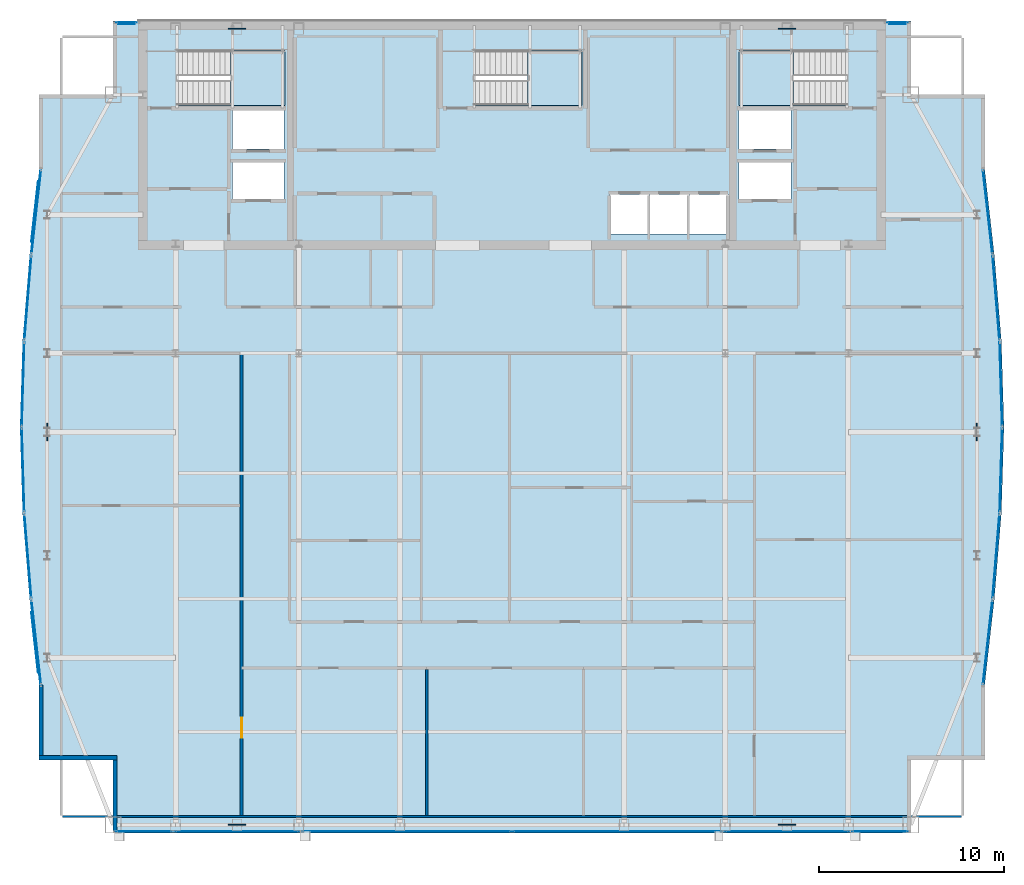
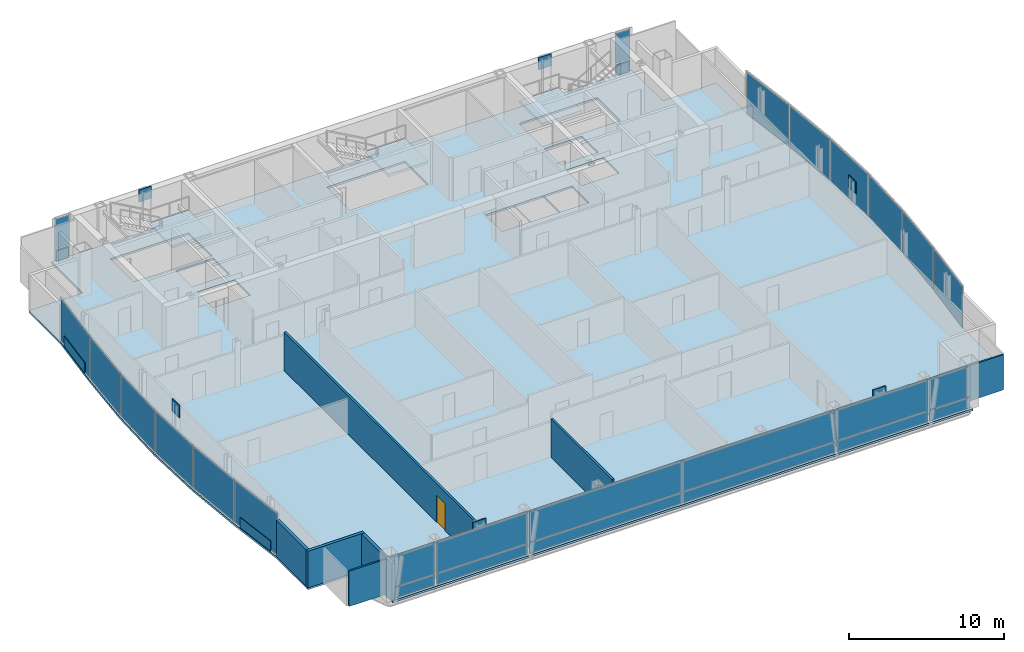
# One storey, part 19 of 25: 38 plates, 6 walls, 4 slabs, 1 door, 1 opening, 22 elements without a shape of their own.
"""IFC4 building model written with IfcOpenShell, lengths in metres."""

from ifc_helpers import new_model, si_unit, direction, frame, frame_2d, origin, origin_2d, place, context, subcontext, project, spatial, polyline, rectangle, outline, extrude, material, layer, layer_set, type_object, element, fill, aggregate, save


model = new_model("IFC4")

# Units and contexts
model_context = context("Model", 3, precision=1e-05, world=origin(), true_north=direction((0.0, 1.0)))
body_context = subcontext(model_context, "Body", "Model", "MODEL_VIEW")
ifc_project = project(units=[si_unit("LENGTHUNIT", "METRE"), si_unit("AREAUNIT", "SQUARE_METRE"), si_unit("VOLUMEUNIT", "CUBIC_METRE"), si_unit("PLANEANGLEUNIT", "RADIAN"), si_unit("MASSUNIT", "GRAM", prefix="KILO")], contexts=[model_context])

# Site, building, storey
site_placement = place(None, origin())
site = spatial("IfcSite", under=ifc_project, at=site_placement, CompositionType="ELEMENT")
building_placement = place(site_placement, origin())
building = spatial("IfcBuilding", under=site, at=building_placement, Name="Khoronbel Lancet Exchange", CompositionType="ELEMENT")
storey_placement = place(building_placement, frame((0.0, 0.0, 298.60009765625)))
storey = spatial("IfcBuildingStorey", under=building, at=storey_placement, Name="L77", CompositionType="ELEMENT", Elevation=298.60009765625)

# Curtain wall, plate
ifc_material_1 = material(Name="Low-E Solar Control Insulating Glass", Category="glass")
curtain_wall_type_1 = type_object("IfcCurtainWallType", Name="CW-4", PredefinedType="NOTDEFINED", material=ifc_material_1)
curtain_wall_1_placement = place(storey_placement, origin())
curtain_wall_1 = element("IfcCurtainWall", 1, at=curtain_wall_1_placement, inside=storey, type_object=curtain_wall_type_1, Name="Unitised curtain wall CW-L77-E04", PredefinedType="NOTDEFINED")
ifc_material_2 = material(Name="Bronze-Anodised Aluminium 6063-T6", Category="aluminium")
ifc_layer_1 = layer(ifc_material_2, 0.050048828125, Name="Bronze-Anodised Aluminium 6063-T6")
ifc_layer_set_1 = layer_set([ifc_layer_1], Name="Bronze-Anodised Aluminium 6063-T6")
plate_type_1 = type_object("IfcPlateType", Name="PLT-CSP1", PredefinedType="SHEET", material=ifc_layer_set_1)
plate_1_placement = place(storey_placement, frame((10.61767578125, 20.033447265625, 0.0498046875), z_axis=(0.0, 0.0, 1.0), x_axis=(-0.111790570813, 0.993731788903, 0.0)))
plate_1 = element("IfcPlate", 2, at=plate_1_placement, type_object=plate_type_1, Name="Insulated bronze spandrel cassette CW-L77-E04", PredefinedType="SHEET", context=body_context, shape_type="SweptSolid", body=[
    extrude(rectangle(XDim=3.289794921875, YDim=0.050048828125, at=origin_2d()), origin(), (0.0, 0.0, 1.0), 0.800048828125),
])

curtain_wall_2_placement = place(storey_placement, origin())
curtain_wall_2 = element("IfcCurtainWall", 3, at=curtain_wall_2_placement, inside=storey, type_object=curtain_wall_type_1, Name="Unitised curtain wall CW-L77-E05", PredefinedType="NOTDEFINED")
plate_2_placement = place(storey_placement, frame((10.22265625, 24.706787109375, 0.0849609375), z_axis=(0.0, 0.0, 1.0), x_axis=(-0.082072596992, 0.996626353667, 0.0)))
plate_2 = element("IfcPlate", 4, at=plate_2_placement, type_object=plate_type_1, Name="CW4 panel 1.1", PredefinedType="CURTAIN_PANEL", context=body_context, shape_type="SweptSolid", body=[
    extrude(rectangle(XDim=4.52880859375, YDim=0.0380859375, at=origin_2d()), origin(), (0.0, 0.0, 1.0), 3.27001953125),
])
aggregate(curtain_wall_2, [plate_2])

curtain_wall_3_placement = place(storey_placement, origin())
curtain_wall_3 = element("IfcCurtainWall", 5, at=curtain_wall_3_placement, inside=storey, type_object=curtain_wall_type_1, Name="Unitised curtain wall CW-L77-E06", PredefinedType="NOTDEFINED")
plate_3_placement = place(storey_placement, frame((9.960205078125, 29.369140625, 0.0849609375), z_axis=(0.0, 0.0, 1.0), x_axis=(-0.030147608411, 0.999545457549, 0.0)))
plate_3 = element("IfcPlate", 6, at=plate_3_placement, type_object=plate_type_1, Name="CW4 panel 1.1", PredefinedType="CURTAIN_PANEL", context=body_context, shape_type="SweptSolid", body=[
    extrude(rectangle(XDim=4.513671875, YDim=0.0380859375, at=origin_2d()), origin(), (0.0, 0.0, 1.0), 3.27001953125),
])
aggregate(curtain_wall_3, [plate_3])

curtain_wall_4_placement = place(storey_placement, origin())
curtain_wall_4 = element("IfcCurtainWall", 7, at=curtain_wall_4_placement, inside=storey, type_object=curtain_wall_type_1, Name="Unitised curtain wall CW-L77-E07", PredefinedType="NOTDEFINED")
plate_4_placement = place(storey_placement, frame((9.960205078125, 34.03076171875, 0.0849609375), z_axis=(0.0, 0.0, 1.0), x_axis=(0.030147608411, 0.999545457549, 0.0)))
plate_4 = element("IfcPlate", 8, at=plate_4_placement, type_object=plate_type_1, Name="CW4 panel 1.1", PredefinedType="CURTAIN_PANEL", context=body_context, shape_type="SweptSolid", body=[
    extrude(rectangle(XDim=4.513671875, YDim=0.0380859375, at=origin_2d()), origin(), (0.0, 0.0, 1.0), 3.27001953125),
])
aggregate(curtain_wall_4, [plate_4])

curtain_wall_5_placement = place(storey_placement, origin())
curtain_wall_5 = element("IfcCurtainWall", 9, at=curtain_wall_5_placement, inside=storey, type_object=curtain_wall_type_1, Name="Unitised curtain wall CW-L77-E08", PredefinedType="NOTDEFINED")
plate_5_placement = place(storey_placement, frame((10.22265625, 38.693115234375, 0.0849609375), z_axis=(0.0, 0.0, 1.0), x_axis=(0.082072596992, 0.996626353667, 0.0)))
plate_5 = element("IfcPlate", 10, at=plate_5_placement, type_object=plate_type_1, Name="CW4 panel 1.1", PredefinedType="CURTAIN_PANEL", context=body_context, shape_type="SweptSolid", body=[
    extrude(rectangle(XDim=4.52880859375, YDim=0.0380859375, at=origin_2d()), origin(), (0.0, 0.0, 1.0), 3.27001953125),
])
aggregate(curtain_wall_5, [plate_5])

curtain_wall_6_placement = place(storey_placement, origin())
curtain_wall_6 = element("IfcCurtainWall", 11, at=curtain_wall_6_placement, inside=storey, type_object=curtain_wall_type_1, Name="Unitised curtain wall CW-L77-E09", PredefinedType="NOTDEFINED")
plate_6_placement = place(storey_placement, frame((10.61767578125, 43.366455078125, 0.0498046875), z_axis=(0.0, 0.0, 1.0), x_axis=(0.111790570813, 0.993731788903, 0.0)))
plate_6 = element("IfcPlate", 12, at=plate_6_placement, type_object=plate_type_1, Name="Insulated bronze spandrel cassette CW-L77-E09", PredefinedType="SHEET", context=body_context, shape_type="SweptSolid", body=[
    extrude(rectangle(XDim=3.289794921875, YDim=0.050048828125, at=origin_2d()), origin(), (0.0, 0.0, 1.0), 0.800048828125),
])

curtain_wall_type_2 = type_object("IfcCurtainWallType", Name="CW-3", PredefinedType="NOTDEFINED", material=ifc_material_1)
curtain_wall_7_placement = place(storey_placement, origin())
curtain_wall_7 = element("IfcCurtainWall", 13, at=curtain_wall_7_placement, inside=storey, type_object=curtain_wall_type_2, Name="Unitised curtain wall CW-L77-NWFLK", PredefinedType="NOTDEFINED")
plate_7_placement = place(storey_placement, frame((15.580078125, 53.550048828125, 0.0498046875), z_axis=(0.0, 0.0, 1.0), x_axis=(-1.0, 0.0, 0.0)))
plate_7 = element("IfcPlate", 14, at=plate_7_placement, type_object=plate_type_1, Name="Insulated bronze spandrel cassette CW-L77-NWFLK", PredefinedType="SHEET", context=body_context, shape_type="SweptSolid", body=[
    extrude(rectangle(XDim=0.89599609375, YDim=0.050048828125, at=origin_2d()), origin(), (0.0, 0.0, 1.0), 0.800048828125),
])

curtain_wall_8_placement = place(storey_placement, origin())
curtain_wall_8 = element("IfcCurtainWall", 15, at=curtain_wall_8_placement, inside=storey, type_object=curtain_wall_type_2, Name="Unitised curtain wall CW-L77-NEFLK", PredefinedType="NOTDEFINED")
plate_8_placement = place(storey_placement, frame((57.320068359375, 53.550048828125, 0.0498046875), z_axis=(0.0, 0.0, 1.0), x_axis=(-1.0, 0.0, 0.0)))
plate_8 = element("IfcPlate", 16, at=plate_8_placement, type_object=plate_type_1, Name="Insulated bronze spandrel cassette CW-L77-NEFLK", PredefinedType="SHEET", context=body_context, shape_type="SweptSolid", body=[
    extrude(rectangle(XDim=0.89599609375, YDim=0.050048828125, at=origin_2d()), origin(), (0.0, 0.0, 1.0), 0.800048828125),
])

curtain_wall_9_placement = place(storey_placement, origin())
curtain_wall_9 = element("IfcCurtainWall", 17, at=curtain_wall_9_placement, inside=storey, type_object=curtain_wall_type_1, Name="Unitised curtain wall CW-L77-E18", PredefinedType="NOTDEFINED")
plate_9_placement = place(storey_placement, frame((62.677490234375, 38.693115234375, 0.0849609375), z_axis=(0.0, 0.0, 1.0), x_axis=(0.082072596992, -0.996626353667, 0.0)))
plate_9 = element("IfcPlate", 18, at=plate_9_placement, type_object=plate_type_1, Name="CW4 panel 1.1", PredefinedType="CURTAIN_PANEL", context=body_context, shape_type="SweptSolid", body=[
    extrude(rectangle(XDim=4.52880859375, YDim=0.0380859375, at=origin_2d()), origin(), (0.0, 0.0, 1.0), 3.27001953125),
])
aggregate(curtain_wall_9, [plate_9])

curtain_wall_10_placement = place(storey_placement, origin())
curtain_wall_10 = element("IfcCurtainWall", 19, at=curtain_wall_10_placement, inside=storey, type_object=curtain_wall_type_1, Name="Unitised curtain wall CW-L77-E19", PredefinedType="NOTDEFINED")
plate_10_placement = place(storey_placement, frame((62.939697265625, 34.03076171875, 0.0849609375), z_axis=(0.0, 0.0, 1.0), x_axis=(0.030147608411, -0.999545457549, 0.0)))
plate_10 = element("IfcPlate", 20, at=plate_10_placement, type_object=plate_type_1, Name="CW4 panel 1.1", PredefinedType="CURTAIN_PANEL", context=body_context, shape_type="SweptSolid", body=[
    extrude(rectangle(XDim=4.513671875, YDim=0.0380859375, at=origin_2d()), origin(), (0.0, 0.0, 1.0), 3.27001953125),
])
aggregate(curtain_wall_10, [plate_10])

curtain_wall_11_placement = place(storey_placement, origin())
curtain_wall_11 = element("IfcCurtainWall", 21, at=curtain_wall_11_placement, inside=storey, type_object=curtain_wall_type_1, Name="Unitised curtain wall CW-L77-E20", PredefinedType="NOTDEFINED")
plate_11_placement = place(storey_placement, frame((62.939697265625, 29.369140625, 0.0849609375), z_axis=(0.0, 0.0, 1.0), x_axis=(-0.030147608411, -0.999545457549, 0.0)))
plate_11 = element("IfcPlate", 22, at=plate_11_placement, type_object=plate_type_1, Name="CW4 panel 1.1", PredefinedType="CURTAIN_PANEL", context=body_context, shape_type="SweptSolid", body=[
    extrude(rectangle(XDim=4.513671875, YDim=0.0380859375, at=origin_2d()), origin(), (0.0, 0.0, 1.0), 3.27001953125),
])
aggregate(curtain_wall_11, [plate_11])

curtain_wall_12_placement = place(storey_placement, origin())
curtain_wall_12 = element("IfcCurtainWall", 23, at=curtain_wall_12_placement, inside=storey, type_object=curtain_wall_type_1, Name="Unitised curtain wall CW-L77-E21", PredefinedType="NOTDEFINED")
plate_12_placement = place(storey_placement, frame((62.677490234375, 24.706787109375, 0.0849609375), z_axis=(0.0, 0.0, 1.0), x_axis=(-0.082072596992, -0.996626353667, 0.0)))
plate_12 = element("IfcPlate", 24, at=plate_12_placement, type_object=plate_type_1, Name="CW4 panel 1.1", PredefinedType="CURTAIN_PANEL", context=body_context, shape_type="SweptSolid", body=[
    extrude(rectangle(XDim=4.52880859375, YDim=0.0380859375, at=origin_2d()), origin(), (0.0, 0.0, 1.0), 3.27001953125),
])
aggregate(curtain_wall_12, [plate_12])

# Curtain wall, plates
curtain_wall_13_placement = place(storey_placement, origin())
curtain_wall_13 = element("IfcCurtainWall", 25, at=curtain_wall_13_placement, inside=storey, type_object=curtain_wall_type_2, Name="Unitised curtain wall CW-L77-SWB", PredefinedType="NOTDEFINED")
plate_13_placement = place(storey_placement, frame((21.550048828125, 9.7900390625, 0.0849609375), z_axis=(0.0, 0.0, 1.0), x_axis=(1.0, 0.0, 0.0)))
plate_13 = element("IfcPlate", 26, at=plate_13_placement, type_object=plate_type_1, Name="CW3 panel 1.1", PredefinedType="CURTAIN_PANEL", context=body_context, shape_type="SweptSolid", body=[
    extrude(rectangle(XDim=6.72998046875, YDim=0.0380859375, at=origin_2d()), origin(), (0.0, 0.0, 1.0), 0.822509765625),
])
plate_14_placement = place(storey_placement, frame((21.550048828125, 9.7900390625, 0.9921875), z_axis=(0.0, 0.0, 1.0), x_axis=(1.0, 0.0, 0.0)))
plate_14 = element("IfcPlate", 27, at=plate_14_placement, type_object=plate_type_1, Name="CW3 panel 1.2", PredefinedType="CURTAIN_PANEL", context=body_context, shape_type="SweptSolid", body=[
    extrude(rectangle(XDim=6.72998046875, YDim=0.0380859375, at=origin_2d()), origin(), (0.0, 0.0, 1.0), 2.362548828125),
])
aggregate(curtain_wall_13, [plate_13, plate_14])

curtain_wall_14_placement = place(storey_placement, origin())
curtain_wall_14 = element("IfcCurtainWall", 28, at=curtain_wall_14_placement, inside=storey, type_object=curtain_wall_type_2, Name="Unitised curtain wall CW-L77-SEB", PredefinedType="NOTDEFINED")
plate_15_placement = place(storey_placement, frame((51.35009765625, 9.7900390625, 0.0849609375), z_axis=(0.0, 0.0, 1.0), x_axis=(1.0, 0.0, 0.0)))
plate_15 = element("IfcPlate", 29, at=plate_15_placement, type_object=plate_type_1, Name="CW3 panel 1.1", PredefinedType="CURTAIN_PANEL", context=body_context, shape_type="SweptSolid", body=[
    extrude(rectangle(XDim=6.72998046875, YDim=0.0380859375, at=origin_2d()), origin(), (0.0, 0.0, 1.0), 0.822509765625),
])
plate_16_placement = place(storey_placement, frame((51.35009765625, 9.7900390625, 0.9921875), z_axis=(0.0, 0.0, 1.0), x_axis=(1.0, 0.0, 0.0)))
plate_16 = element("IfcPlate", 30, at=plate_16_placement, type_object=plate_type_1, Name="CW3 panel 1.2", PredefinedType="CURTAIN_PANEL", context=body_context, shape_type="SweptSolid", body=[
    extrude(rectangle(XDim=6.72998046875, YDim=0.0380859375, at=origin_2d()), origin(), (0.0, 0.0, 1.0), 2.362548828125),
])
aggregate(curtain_wall_14, [plate_15, plate_16])

# Plate
ifc_layer_2 = layer(ifc_material_1, 0.035888671875, Name="Low-E Solar Control Insulating Glass")
ifc_layer_set_2 = layer_set([ifc_layer_2], Name="Low-E Solar Control Insulating Glass")
plate_type_2 = type_object("IfcPlateType", Name="PLT-CWP1", PredefinedType="CURTAIN_PANEL", material=ifc_layer_set_2)
plate_17_placement = place(storey_placement, frame((15.580078125, 53.610107421875, 0.0849609375), z_axis=(0.0, 0.0, 1.0), x_axis=(-1.0, 0.0, 0.0)))
plate_17 = element("IfcPlate", 31, at=plate_17_placement, type_object=plate_type_2, Name="CW3 panel 1.1", PredefinedType="CURTAIN_PANEL", context=body_context, shape_type="SweptSolid", body=[
    extrude(rectangle(XDim=1.110107421875, YDim=0.0380859375, at=origin_2d()), origin(), (0.0, 0.0, 1.0), 0.822509765625),
])

plate_18_placement = place(storey_placement, frame((15.580078125, 53.610107421875, 0.9921875), z_axis=(0.0, 0.0, 1.0), x_axis=(-1.0, 0.0, 0.0)))
plate_18 = element("IfcPlate", 32, at=plate_18_placement, type_object=plate_type_2, Name="CW3 panel 1.2", PredefinedType="CURTAIN_PANEL", context=body_context, shape_type="SweptSolid", body=[
    extrude(rectangle(XDim=1.110107421875, YDim=0.0380859375, at=origin_2d()), origin(), (0.0, 0.0, 1.0), 2.362548828125),
])

aggregate(curtain_wall_7, [plate_17, plate_18, plate_7])

plate_19_placement = place(storey_placement, frame((57.320068359375, 53.610107421875, 0.0849609375), z_axis=(0.0, 0.0, 1.0), x_axis=(-1.0, 0.0, 0.0)))
plate_19 = element("IfcPlate", 33, at=plate_19_placement, type_object=plate_type_2, Name="CW3 panel 1.1", PredefinedType="CURTAIN_PANEL", context=body_context, shape_type="SweptSolid", body=[
    extrude(rectangle(XDim=1.110107421875, YDim=0.0380859375, at=origin_2d()), origin(), (0.0, 0.0, 1.0), 0.822509765625),
])

plate_20_placement = place(storey_placement, frame((57.320068359375, 53.610107421875, 0.9921875), z_axis=(0.0, 0.0, 1.0), x_axis=(-1.0, 0.0, 0.0)))
plate_20 = element("IfcPlate", 34, at=plate_20_placement, type_object=plate_type_2, Name="CW3 panel 1.2", PredefinedType="CURTAIN_PANEL", context=body_context, shape_type="SweptSolid", body=[
    extrude(rectangle(XDim=1.110107421875, YDim=0.0380859375, at=origin_2d()), origin(), (0.0, 0.0, 1.0), 2.362548828125),
])

aggregate(curtain_wall_8, [plate_19, plate_20, plate_8])

# Curtain wall, plates
curtain_wall_15_placement = place(storey_placement, origin())
curtain_wall_15 = element("IfcCurtainWall", 35, at=curtain_wall_15_placement, inside=storey, type_object=curtain_wall_type_2, Name="Unitised curtain wall CW-L77-SWV", PredefinedType="NOTDEFINED")
plate_21_placement = place(storey_placement, frame((16.52001953125, 9.7900390625, 0.0849609375), z_axis=(0.0, 0.0, 1.0), x_axis=(1.0, 0.0, 0.0)))
plate_21 = element("IfcPlate", 36, at=plate_21_placement, type_object=plate_type_2, Name="CW3 panel 1.1", PredefinedType="CURTAIN_PANEL", context=body_context, shape_type="SweptSolid", body=[
    extrude(rectangle(XDim=2.989990234375, YDim=0.0380859375, at=origin_2d()), origin(), (0.0, 0.0, 1.0), 0.822509765625),
])
plate_22_placement = place(storey_placement, frame((16.52001953125, 9.7900390625, 0.9921875), z_axis=(0.0, 0.0, 1.0), x_axis=(1.0, 0.0, 0.0)))
plate_22 = element("IfcPlate", 37, at=plate_22_placement, type_object=plate_type_2, Name="CW3 panel 1.2", PredefinedType="CURTAIN_PANEL", context=body_context, shape_type="SweptSolid", body=[
    extrude(rectangle(XDim=2.989990234375, YDim=0.0380859375, at=origin_2d()), origin(), (0.0, 0.0, 1.0), 2.362548828125),
])
aggregate(curtain_wall_15, [plate_21, plate_22])

curtain_wall_16_placement = place(storey_placement, origin())
curtain_wall_16 = element("IfcCurtainWall", 38, at=curtain_wall_16_placement, inside=storey, type_object=curtain_wall_type_2, Name="Unitised curtain wall CW-L77-SCV", PredefinedType="NOTDEFINED")
plate_23_placement = place(storey_placement, frame((30.746337890625, 9.7900390625, 0.0849609375), z_axis=(0.0, 0.0, 1.0), x_axis=(1.0, 0.0, 0.0)))
plate_23 = element("IfcPlate", 39, at=plate_23_placement, type_object=plate_type_2, Name="CW3 panel 1.1", PredefinedType="CURTAIN_PANEL", context=body_context, shape_type="SweptSolid", body=[
    extrude(rectangle(XDim=11.322509765625, YDim=0.0380859375, at=origin_2d()), origin(), (0.0, 0.0, 1.0), 0.822509765625),
])
plate_24_placement = place(storey_placement, frame((30.746337890625, 9.7900390625, 0.9921875), z_axis=(0.0, 0.0, 1.0), x_axis=(1.0, 0.0, 0.0)))
plate_24 = element("IfcPlate", 40, at=plate_24_placement, type_object=plate_type_2, Name="CW3 panel 1.2", PredefinedType="CURTAIN_PANEL", context=body_context, shape_type="SweptSolid", body=[
    extrude(rectangle(XDim=11.322509765625, YDim=0.0380859375, at=origin_2d()), origin(), (0.0, 0.0, 1.0), 2.362548828125),
])
plate_25_placement = place(storey_placement, frame((42.15380859375, 9.7900390625, 0.0849609375), z_axis=(0.0, 0.0, 1.0), x_axis=(1.0, 0.0, 0.0)))
plate_25 = element("IfcPlate", 41, at=plate_25_placement, type_object=plate_type_2, Name="CW3 panel 2.1", PredefinedType="CURTAIN_PANEL", context=body_context, shape_type="SweptSolid", body=[
    extrude(rectangle(XDim=11.322509765625, YDim=0.0380859375, at=origin_2d()), origin(), (0.0, 0.0, 1.0), 0.822509765625),
])
plate_26_placement = place(storey_placement, frame((42.15380859375, 9.7900390625, 0.9921875), z_axis=(0.0, 0.0, 1.0), x_axis=(1.0, 0.0, 0.0)))
plate_26 = element("IfcPlate", 42, at=plate_26_placement, type_object=plate_type_2, Name="CW3 panel 2.2", PredefinedType="CURTAIN_PANEL", context=body_context, shape_type="SweptSolid", body=[
    extrude(rectangle(XDim=11.322509765625, YDim=0.0380859375, at=origin_2d()), origin(), (0.0, 0.0, 1.0), 2.362548828125),
])
aggregate(curtain_wall_16, [plate_23, plate_24, plate_25, plate_26])

curtain_wall_17_placement = place(storey_placement, origin())
curtain_wall_17 = element("IfcCurtainWall", 43, at=curtain_wall_17_placement, inside=storey, type_object=curtain_wall_type_2, Name="Unitised curtain wall CW-L77-SEV", PredefinedType="NOTDEFINED")
plate_27_placement = place(storey_placement, frame((56.3798828125, 9.7900390625, 0.0849609375), z_axis=(0.0, 0.0, 1.0), x_axis=(1.0, 0.0, 0.0)))
plate_27 = element("IfcPlate", 44, at=plate_27_placement, type_object=plate_type_2, Name="CW3 panel 1.1", PredefinedType="CURTAIN_PANEL", context=body_context, shape_type="SweptSolid", body=[
    extrude(rectangle(XDim=2.989990234375, YDim=0.0380859375, at=origin_2d()), origin(), (0.0, 0.0, 1.0), 0.822509765625),
])
plate_28_placement = place(storey_placement, frame((56.3798828125, 9.7900390625, 0.9921875), z_axis=(0.0, 0.0, 1.0), x_axis=(1.0, 0.0, 0.0)))
plate_28 = element("IfcPlate", 45, at=plate_28_placement, type_object=plate_type_2, Name="CW3 panel 1.2", PredefinedType="CURTAIN_PANEL", context=body_context, shape_type="SweptSolid", body=[
    extrude(rectangle(XDim=2.989990234375, YDim=0.0380859375, at=origin_2d()), origin(), (0.0, 0.0, 1.0), 2.362548828125),
])
aggregate(curtain_wall_17, [plate_27, plate_28])

# Plate
ifc_material_3 = material(Name="Ceramic-Fritted Laminated Insulating Glass", Category="glass")
ifc_layer_3 = layer(ifc_material_3, 0.0419921875, Name="Ceramic-Fritted Laminated Insulating Glass")
ifc_layer_set_3 = layer_set([ifc_layer_3], Name="Ceramic-Fritted Laminated Insulating Glass")
plate_type_3 = type_object("IfcPlateType", Name="PLT-CWP2", PredefinedType="CURTAIN_PANEL", material=ifc_layer_set_3)
plate_29_placement = place(storey_placement, frame((10.67724609375, 20.040283203125, 0.0849609375), z_axis=(0.0, 0.0, 1.0), x_axis=(-0.111790570813, 0.993731788903, 0.0)))
plate_29 = element("IfcPlate", 46, at=plate_29_placement, type_object=plate_type_3, Name="CW4 panel 1.1", PredefinedType="CURTAIN_PANEL", context=body_context, shape_type="SweptSolid", body=[
    extrude(rectangle(XDim=4.5498046875, YDim=0.0380859375, at=origin_2d()), origin(), (0.0, 0.0, 1.0), 3.27001953125),
])

aggregate(curtain_wall_1, [plate_29, plate_1])

plate_30_placement = place(storey_placement, frame((10.67724609375, 43.35986328125, 0.0849609375), z_axis=(0.0, 0.0, 1.0), x_axis=(0.111790570813, 0.993731788903, 0.0)))
plate_30 = element("IfcPlate", 47, at=plate_30_placement, type_object=plate_type_3, Name="CW4 panel 1.1", PredefinedType="CURTAIN_PANEL", context=body_context, shape_type="SweptSolid", body=[
    extrude(rectangle(XDim=4.5498046875, YDim=0.0380859375, at=origin_2d()), origin(), (0.0, 0.0, 1.0), 3.27001953125),
])

aggregate(curtain_wall_6, [plate_30, plate_6])

# Curtain wall, plate
curtain_wall_18_placement = place(storey_placement, origin())
curtain_wall_18 = element("IfcCurtainWall", 48, at=curtain_wall_18_placement, inside=storey, type_object=curtain_wall_type_1, Name="Unitised curtain wall CW-L77-E17", PredefinedType="NOTDEFINED")
plate_31_placement = place(storey_placement, frame((62.22265625, 43.35986328125, 0.0849609375), z_axis=(0.0, 0.0, 1.0), x_axis=(0.111790570813, -0.993731788903, 0.0)))
plate_31 = element("IfcPlate", 49, at=plate_31_placement, type_object=plate_type_3, Name="CW4 panel 1.1", PredefinedType="CURTAIN_PANEL", context=body_context, shape_type="SweptSolid", body=[
    extrude(rectangle(XDim=4.5498046875, YDim=0.0380859375, at=origin_2d()), origin(), (0.0, 0.0, 1.0), 3.27001953125),
])
aggregate(curtain_wall_18, [plate_31])

curtain_wall_19_placement = place(storey_placement, origin())
curtain_wall_19 = element("IfcCurtainWall", 50, at=curtain_wall_19_placement, inside=storey, type_object=curtain_wall_type_1, Name="Unitised curtain wall CW-L77-E22", PredefinedType="NOTDEFINED")
plate_32_placement = place(storey_placement, frame((62.22265625, 20.040283203125, 0.0849609375), z_axis=(0.0, 0.0, 1.0), x_axis=(-0.111790570813, -0.993731788903, 0.0)))
plate_32 = element("IfcPlate", 51, at=plate_32_placement, type_object=plate_type_3, Name="CW4 panel 1.1", PredefinedType="CURTAIN_PANEL", context=body_context, shape_type="SweptSolid", body=[
    extrude(rectangle(XDim=4.5498046875, YDim=0.0380859375, at=origin_2d()), origin(), (0.0, 0.0, 1.0), 3.27001953125),
])
aggregate(curtain_wall_19, [plate_32])

# Plates
ifc_material_4 = material(Name="Steel S460", Category="steel")
ifc_layer_4 = layer(ifc_material_4, 0.06005859375, Name="Steel S460")
ifc_layer_set_4 = layer_set([ifc_layer_4], Name="Steel S460")
plate_type_4 = type_object("IfcPlateType", Name="PLT-ND3", PredefinedType="USERDEFINED", material=ifc_layer_set_4)
for number, where, z_axis, x_axis, name in (
    (52, (21.5625, 10.14990234375, 2.77490234375), (0.0, 0.0, 1.0), (1.0, 0.0, 0.0), "ND3 perimeter brace node gusset T26-S-W"),
    (53, (51.33740234375, 10.14990234375, 2.77490234375), (0.0, 0.0, 1.0), (1.0, 0.0, 0.0), "ND3 perimeter brace node gusset T26-S-E"),
    (54, (21.5625, 53.280029296875, 2.77490234375), (0.0, 0.0, 1.0), (1.0, 0.0, 0.0), "ND3 perimeter brace node gusset T26-N-W"),
    (55, (51.33740234375, 53.280029296875, 2.77490234375), (0.0, 0.0, 1.0), (1.0, 0.0, 0.0), "ND3 perimeter brace node gusset T26-N-E"),
    (56, (11.27001953125, 31.425048828125, 2.77490234375), (0.0, 0.0, 1.0), (0.0, 1.0, 0.0), "ND3 perimeter brace node gusset T26-W-P"),
    (57, (61.6298828125, 31.425048828125, 2.77490234375), (0.0, 0.0, 1.0), (0.0, 1.0, 0.0), "ND3 perimeter brace node gusset T26-E-P"),
):
    element("IfcPlate", number, at=place(storey_placement, frame(where, z_axis=z_axis, x_axis=x_axis)), inside=storey, type_object=plate_type_4, Name=name, ObjectType="GUSSET_PLATE", PredefinedType="USERDEFINED", context=body_context, shape_type="SweptSolid", body=[
        extrude(rectangle(XDim=0.949951171875, YDim=0.06005859375, at=origin_2d()), origin(), (0.0, 0.0, 1.0), 0.949951171875),
    ])

# Slab
ifc_material_5 = material(Name="Concrete C40/50", Category="concrete")
ifc_layer_5 = layer(ifc_material_5, 0.159912109375, Name="Concrete C40/50")
ifc_layer_set_5 = layer_set([ifc_layer_5], Name="Concrete C40/50")
slab_type_1 = type_object("IfcSlabType", Name="SL-FL160", PredefinedType="FLOOR", material=ifc_layer_set_5)
slab_1_placement = place(storey_placement, frame((0.0, 0.0, -0.16015625)))
element("IfcSlab", 58, at=slab_1_placement, inside=storey, type_object=slab_type_1, Name="Level L77 composite structural floor slab", PredefinedType="FLOOR", context=body_context, shape_type="SweptSolid", body=[
    extrude(outline(polyline([(14.85009765625, 9.699951171875), (58.050048828125, 9.699951171875), (58.050048828125, 13.699951171875), (62.050048828125, 13.699951171875), (62.050048828125, 17.699951171875), (62.574951171875, 22.36669921875), (62.959228515625, 27.033203125), (63.10009765625, 31.699951171875), (62.959228515625, 36.36669921875), (62.574951171875, 41.033203125), (62.050048828125, 45.699951171875), (62.050048828125, 49.699951171875), (58.050048828125, 49.699951171875), (58.050048828125, 53.699951171875), (14.85009765625, 53.699951171875), (14.85009765625, 49.699951171875), (10.85009765625, 49.699951171875), (10.85009765625, 45.699951171875), (10.324951171875, 41.033203125), (9.940673828125, 36.36669921875), (9.800048828125, 31.699951171875), (9.940673828125, 27.033203125), (10.324951171875, 22.36669921875), (10.85009765625, 17.699951171875), (10.85009765625, 13.699951171875), (14.85009765625, 13.699951171875), (14.85009765625, 9.699951171875)]), holes=[polyline([(18.324951171875, 49.1201171875), (24.14990234375, 49.1201171875), (24.14990234375, 52.10009765625), (18.324951171875, 52.10009765625), (18.324951171875, 49.1201171875)]), polyline([(48.75, 49.1201171875), (54.574951171875, 49.1201171875), (54.574951171875, 52.10009765625), (48.75, 52.10009765625), (48.75, 49.1201171875)]), polyline([(34.425048828125, 49.1201171875), (40.25, 49.1201171875), (40.25, 52.10009765625), (34.425048828125, 52.10009765625), (34.425048828125, 49.1201171875)]), polyline([(41.739990234375, 42.14990234375), (43.8798828125, 42.14990234375), (43.8798828125, 44.300048828125), (41.739990234375, 44.300048828125), (41.739990234375, 42.14990234375)]), polyline([(43.89990234375, 42.14990234375), (46.0400390625, 42.14990234375), (46.0400390625, 44.300048828125), (43.89990234375, 44.300048828125), (43.89990234375, 42.14990234375)]), polyline([(46.06005859375, 42.14990234375), (48.199951171875, 42.14990234375), (48.199951171875, 44.300048828125), (46.06005859375, 44.300048828125), (46.06005859375, 42.14990234375)]), polyline([(21.300048828125, 46.75), (24.10009765625, 46.75), (24.10009765625, 48.85009765625), (21.300048828125, 48.85009765625), (21.300048828125, 46.75)]), polyline([(48.75, 46.75), (51.550048828125, 46.75), (51.550048828125, 48.85009765625), (48.75, 48.85009765625), (48.75, 46.75)]), polyline([(21.300048828125, 44.050048828125), (24.10009765625, 44.050048828125), (24.10009765625, 46.050048828125), (21.300048828125, 46.050048828125), (21.300048828125, 44.050048828125)]), polyline([(48.75, 44.050048828125), (51.550048828125, 44.050048828125), (51.550048828125, 46.050048828125), (48.75, 46.050048828125), (48.75, 44.050048828125)])]), origin(), (0.0, 0.0, 1.0), 0.16015625),
])

# Stair, slab
stair_type = type_object("IfcStairType", Name="STR-CORE150", PredefinedType="HALF_TURN_STAIR", material=ifc_material_5)
stair_1_placement = place(storey_placement, origin())
stair_1 = element("IfcStair", 59, at=stair_1_placement, inside=storey, type_object=stair_type, Name="L77 Protected Exit Stair ST1", PredefinedType="HALF_TURN_STAIR")
ifc_layer_6 = layer(ifc_material_5, 0.199951171875, Name="Concrete C40/50")
ifc_layer_set_6 = layer_set([ifc_layer_6], Name="Concrete C40/50")
slab_type_2 = type_object("IfcSlabType", Name="SL-LND180", PredefinedType="LANDING", material=ifc_layer_set_6)
slab_2_placement = place(storey_placement, frame((0.0, 0.0, 1.599853515625)))
slab_2 = element("IfcSlab", 60, at=slab_2_placement, type_object=slab_type_2, Name="ST1 landing 1", PredefinedType="LANDING", context=body_context, shape_type="SweptSolid", body=[
    extrude(outline(polyline([(21.199951171875, 49.1201171875), (24.14990234375, 49.1201171875), (24.14990234375, 52.10009765625), (21.199951171875, 52.10009765625), (21.199951171875, 49.1201171875)])), origin(), (0.0, 0.0, 1.0), 0.199951171875),
])
aggregate(stair_1, [slab_2])

stair_2_placement = place(storey_placement, origin())
stair_2 = element("IfcStair", 61, at=stair_2_placement, inside=storey, type_object=stair_type, Name="L77 Protected Exit Stair ST2", PredefinedType="HALF_TURN_STAIR")
slab_3_placement = place(storey_placement, frame((0.0, 0.0, 1.599853515625)))
slab_3 = element("IfcSlab", 62, at=slab_3_placement, type_object=slab_type_2, Name="ST2 landing 1", PredefinedType="LANDING", context=body_context, shape_type="SweptSolid", body=[
    extrude(outline(polyline([(51.699951171875, 52.10009765625), (48.75, 52.10009765625), (48.75, 49.1201171875), (51.699951171875, 49.1201171875), (51.699951171875, 52.10009765625)])), origin(), (0.0, 0.0, 1.0), 0.199951171875),
])
aggregate(stair_2, [slab_3])

stair_3_placement = place(storey_placement, origin())
stair_3 = element("IfcStair", 63, at=stair_3_placement, inside=storey, type_object=stair_type, Name="L77 Protected Exit Stair ST3", PredefinedType="HALF_TURN_STAIR")
slab_4_placement = place(storey_placement, frame((0.0, 0.0, 1.599853515625)))
slab_4 = element("IfcSlab", 64, at=slab_4_placement, type_object=slab_type_2, Name="ST3 landing 1", PredefinedType="LANDING", context=body_context, shape_type="SweptSolid", body=[
    extrude(outline(polyline([(37.300048828125, 49.1201171875), (40.25, 49.1201171875), (40.25, 52.10009765625), (37.300048828125, 52.10009765625), (37.300048828125, 49.1201171875)])), origin(), (0.0, 0.0, 1.0), 0.199951171875),
])
aggregate(stair_3, [slab_4])

# Walls
ifc_material_6 = material(Name="Precast concrete C40/50", Category="concrete")
ifc_layer_7 = layer(ifc_material_6, 0.25, Name="Precast concrete C40/50")
ifc_layer_set_7 = layer_set([ifc_layer_7], Name="Precast concrete C40/50")
wall_type_1 = type_object("IfcWallType", Name="WL-EXT250", PredefinedType="SOLIDWALL", material=ifc_layer_set_7)
wall_1_placement = place(storey_placement, frame((14.93994140625, 9.77001953125, 0.0), z_axis=(0.0, 0.0, 1.0), x_axis=(0.0, 1.0, 0.0)))
element("IfcWall", 65, at=wall_1_placement, inside=storey, type_object=wall_type_1, Name="Level L77 notched-corner limestone pier 01", PredefinedType="SOLIDWALL", context=body_context, shape_type="SweptSolid", body=[
    extrude(rectangle(XDim=3.909912109375, YDim=0.219970703125, at=frame_2d((1.955078125, 0.0))), origin(), (0.0, 0.0, 1.0), 2.8798828125),
])
wall_2_placement = place(storey_placement, frame((15.050048828125, 13.7900390625, 0.0), z_axis=(0.0, 0.0, 1.0), x_axis=(-1.0, 0.0, 0.0)))
element("IfcWall", 66, at=wall_2_placement, inside=storey, type_object=wall_type_1, Name="Level L77 notched-corner limestone pier 02", PredefinedType="SOLIDWALL", context=body_context, shape_type="SweptSolid", body=[
    extrude(rectangle(XDim=4.219970703125, YDim=0.219970703125, at=frame_2d((2.10986328125, 0.0))), origin(), (0.0, 0.0, 1.0), 2.8798828125),
])
wall_3_placement = place(storey_placement, frame((10.93994140625, 13.89990234375, 0.0), z_axis=(0.0, 0.0, 1.0), x_axis=(0.0, 1.0, 0.0)))
element("IfcWall", 67, at=wall_3_placement, inside=storey, type_object=wall_type_1, Name="Level L77 notched-corner limestone pier 03", PredefinedType="SOLIDWALL", context=body_context, shape_type="SweptSolid", body=[
    extrude(rectangle(XDim=3.8251953125, YDim=0.219970703125, at=frame_2d((1.91259765625, 0.0))), origin(), (0.0, 0.0, 1.0), 2.8798828125),
])
ifc_material_7 = material(Name="Acoustic Metal-Stud & Mineral-Wool Gypsum Partition 120 mm", Category="gypsum")
ifc_layer_8 = layer(ifc_material_7, 0.1201171875, Name="Acoustic Metal-Stud & Mineral-Wool Gypsum Partition 120 mm")
ifc_layer_set_8 = layer_set([ifc_layer_8], Name="Acoustic Metal-Stud & Mineral-Wool Gypsum Partition 120 mm")
wall_type_2 = type_object("IfcWallType", Name="WL-PRT120", PredefinedType="PARTITIONING", material=ifc_layer_set_8)
wall_4_placement = place(storey_placement, frame((12.094970703125, 10.60009765625, 0.0), z_axis=(0.0, 0.0, 1.0), x_axis=(1.0, 0.0, 0.0)))
element("IfcWall", 68, at=wall_4_placement, inside=storey, type_object=wall_type_2, Name="Level L77 interior partition PW-LIN-S", PredefinedType="PARTITIONING", context=body_context, shape_type="SweptSolid", body=[
    extrude(rectangle(XDim=48.7099609375, YDim=0.1201171875, at=frame_2d((24.35498046875, 0.0))), origin(), (0.0, 0.0, 1.0), 2.77978515625),
])

# Wall, opening, door
ifc_material_8 = material(Name="Fire-Rated Twin-Stud Acoustic Gypsum Partition 150 mm", Category="gypsum")
ifc_layer_9 = layer(ifc_material_8, 0.14990234375, Name="Fire-Rated Twin-Stud Acoustic Gypsum Partition 150 mm")
ifc_layer_set_9 = layer_set([ifc_layer_9], Name="Fire-Rated Twin-Stud Acoustic Gypsum Partition 150 mm")
wall_type_3 = type_object("IfcWallType", Name="WL-PRT150C", PredefinedType="PARTITIONING", material=ifc_layer_set_9)
wall_5_placement = place(storey_placement, frame((21.800048828125, 10.6650390625, 0.0), z_axis=(0.0, 0.0, 1.0), x_axis=(0.0, 1.0, 0.0)))
wall_5 = element("IfcWall", 69, at=wall_5_placement, inside=storey, type_object=wall_type_3, Name="Level L77 interior partition PW-Z4-WW", PredefinedType="PARTITIONING", context=body_context, shape_type="SweptSolid", body=[
    extrude(rectangle(XDim=24.955078125, YDim=0.14990234375, at=frame_2d((12.4775390625, 0.0))), origin(), (0.0, 0.0, 1.0), 3.02978515625),
])
opening_placement = place(wall_5_placement, frame((4.199951171875, 0.0, 0.0)))
opening = element("IfcOpeningElement", 70, at=opening_placement, cuts=wall_5, Name="Opening D6", PredefinedType="OPENING", context=body_context, shape_type="SweptSolid", body=[
    extrude(rectangle(XDim=1.10009765625, YDim=2.10009765625, at=frame_2d((0.550048828125, 1.050048828125))), frame((0.0, 0.0849609375, 0.0), z_axis=(0.0, -1.0, 0.0), x_axis=(1.0, 0.0, 0.0)), (0.0, 0.0, 1.0), 0.169921875),
])
ifc_material_9 = material(Name="Acoustic Bronze-Veneer Executive Suite Door", Category="wood")
door_type = type_object("IfcDoorType", Name="DR-D6", OperationType="NOTDEFINED", PredefinedType="DOOR", material=ifc_material_9)
door_placement = place(opening_placement, origin())
door = element("IfcDoor", 71, at=door_placement, inside=storey, type_object=door_type, Name="West lens presidential door L77-1", OperationType="SINGLE_SWING_RIGHT", OverallHeight=2.10009765625, OverallWidth=1.10009765625, PredefinedType="DOOR", context=body_context, shape_type="SweptSolid", body=[
    extrude(rectangle(XDim=1.10009765625, YDim=2.10009765625, at=frame_2d((0.550048828125, 1.050048828125))), frame((0.0, 0.02490234375, 0.0), z_axis=(0.0, -1.0, 0.0), x_axis=(1.0, 0.0, 0.0)), (0.0, 0.0, 1.0), 0.050048828125),
])
fill(opening, door)

# Wall
wall_6_placement = place(storey_placement, frame((31.831787109375, 10.6650390625, 0.0), z_axis=(0.0, 0.0, 1.0), x_axis=(0.0, 1.0, 0.0)))
element("IfcWall", 72, at=wall_6_placement, inside=storey, type_object=wall_type_3, Name="Level L77 interior partition PW-Z4S-V1", PredefinedType="PARTITIONING", context=body_context, shape_type="SweptSolid", body=[
    extrude(rectangle(XDim=7.89990234375, YDim=0.14990234375, at=frame_2d((3.949951171875, 0.0))), origin(), (0.0, 0.0, 1.0), 3.02978515625),
])

save(model, "model.ifc")
